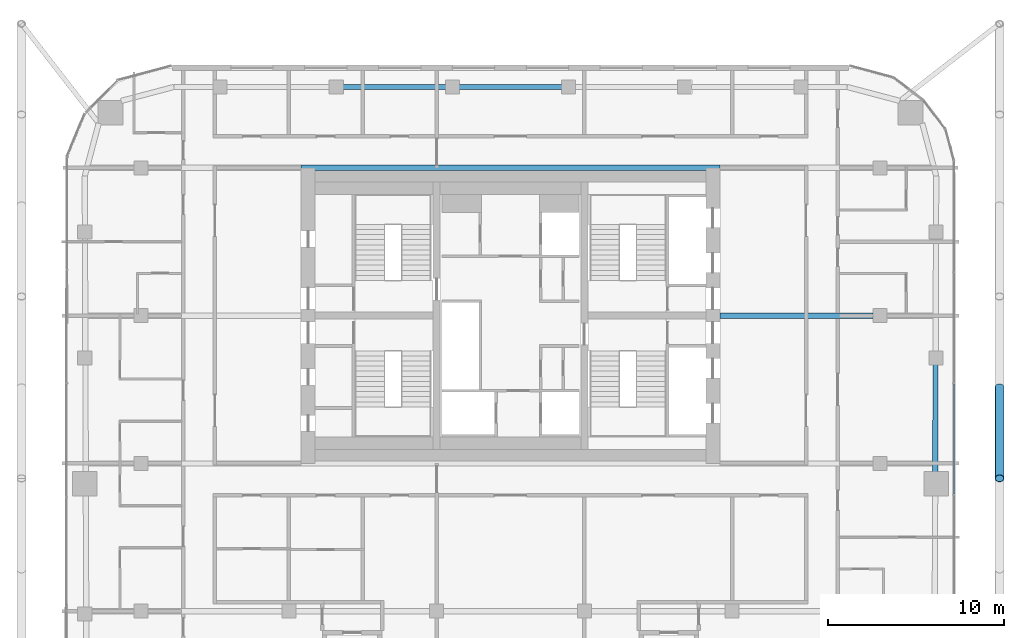
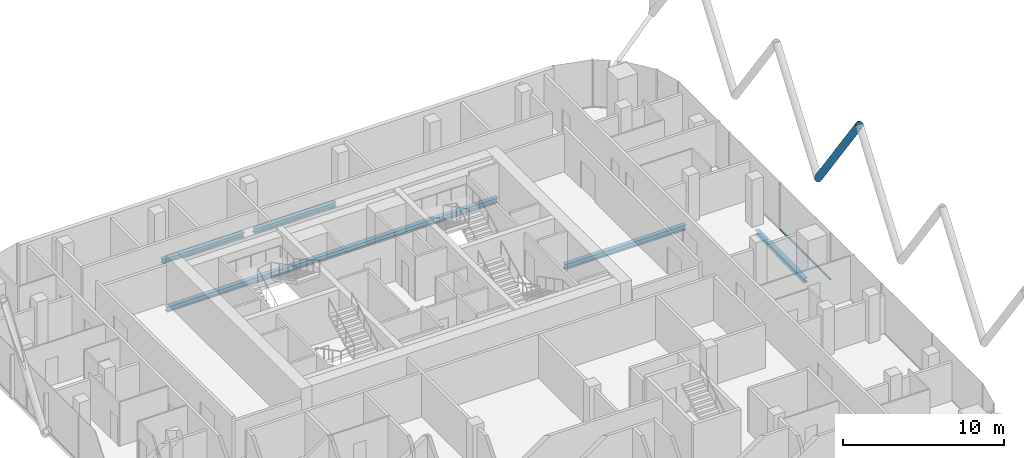
# One storey, part 9 of 28: 5 beams, 2 members, 1 element without a shape of its own.
"""IFC4 building model written with IfcOpenShell, lengths in metres."""

from ifc_helpers import new_model, si_unit, direction, frame, origin, origin_2d, place, context, subcontext, project, spatial, rectangle, hollow_circle, i_section, extrude, material, layer, layer_set, material_profile, profile_set, type_object, element, aggregate, save


model = new_model("IFC4")

# Units and contexts
model_context = context("Model", 3, precision=1e-05, world=origin(), true_north=direction((0.0, 1.0)))
body_context = subcontext(model_context, "Body", "Model", "MODEL_VIEW")
ifc_project = project(units=[si_unit("LENGTHUNIT", "METRE"), si_unit("AREAUNIT", "SQUARE_METRE"), si_unit("VOLUMEUNIT", "CUBIC_METRE"), si_unit("PLANEANGLEUNIT", "RADIAN"), si_unit("MASSUNIT", "GRAM", prefix="KILO")], contexts=[model_context])

# Site, building, storey
site_placement = place(None, origin())
site = spatial("IfcSite", under=ifc_project, at=site_placement, CompositionType="ELEMENT")
building_placement = place(site_placement, origin())
building = spatial("IfcBuilding", under=site, at=building_placement, Name="Marenta Gate Hotel Tower", CompositionType="ELEMENT")
storey_placement = place(building_placement, frame((0.0, 0.0, 198.5)))
storey = spatial("IfcBuildingStorey", under=building, at=storey_placement, Name="L45", CompositionType="ELEMENT", Elevation=198.5)

# Member
ifc_material_1 = material(Name="Steel S355J2W", Category="steel")
ifc_material_profile_1 = material_profile(ifc_material_1, hollow_circle(Radius=0.25390625, WallThickness=0.02490234375, at=origin_2d()), Name="CHS 508x25")
ifc_profile_set_1 = profile_set([ifc_material_profile_1], Name="Steel S355J2W")
member_type_1 = type_object("IfcMemberType", Name="Diagrid diagonal Z3 CHS 508x25", PredefinedType="BRACE", material=ifc_profile_set_1)
member_1_placement = place(storey_placement, frame((27.800048828125, 4.31982421875, 3.139892578125), z_axis=(0.0, -0.583247791947, 0.812294289767), x_axis=(1.0, 0.0, 0.0)))
element("IfcMember", 1, at=member_1_placement, inside=storey, type_object=member_type_1, Name="L45-DG-5", PredefinedType="BRACE", context=body_context, shape_type="SweptSolid", body=[
    extrude(hollow_circle(Radius=0.25390625, WallThickness=0.02490234375, at=origin_2d()), origin(), (0.0, 0.0, 1.0), 8.864013671875),
])

# Beams
ifc_material_2 = material(Name="Steel S355", Category="steel")
ifc_material_profile_2 = material_profile(ifc_material_2, i_section(OverallWidth=0.300048828125, OverallDepth=0.340087890625, WebThickness=0.011962890625, FlangeThickness=0.021484375, FilletRadius=0.027099609375, at=origin_2d()), Name="HEB 340")
ifc_profile_set_2 = profile_set([ifc_material_profile_2], Name="Steel S355")
beam_type_1 = type_object("IfcBeamType", Name="Edge beam HEB 340", PredefinedType="SPANDREL", material=ifc_profile_set_2)
for number, where, z_axis, x_axis, name in (
    (2, (-9.544189453125, 21.39990234375, -0.429931640625), (1.0, 0.0, 0.0), (0.0, 1.0, 0.0), "L45-EB-15"),
    (3, (-2.94140625, 21.39990234375, -0.429931640625), (1.0, 0.0, 0.0), (0.0, 1.0, 0.0), "L45-EB-16"),
):
    element("IfcBeam", number, at=place(storey_placement, frame(where, z_axis=z_axis, x_axis=x_axis)), inside=storey, type_object=beam_type_1, Name=name, PredefinedType="SPANDREL", context=body_context, shape_type="SweptSolid", body=[
        extrude(i_section(OverallWidth=0.300048828125, OverallDepth=0.340087890625, WebThickness=0.011962890625, FlangeThickness=0.021484375, FilletRadius=0.027099609375, at=origin_2d()), origin(), (0.0, 0.0, 1.0), 5.8828125),
    ])
beam_1_placement = place(storey_placement, frame((24.164306640625, 5.643310546875, -0.429931640625), z_axis=(-0.003303859048, -0.999994542243, 0.0), x_axis=(0.999994542243, -0.003303859048, 0.0)))
element("IfcBeam", 4, at=beam_1_placement, inside=storey, type_object=beam_type_1, Name="L45-EB-24", PredefinedType="SPANDREL", context=body_context, shape_type="SweptSolid", body=[
    extrude(i_section(OverallWidth=0.300048828125, OverallDepth=0.340087890625, WebThickness=0.011962890625, FlangeThickness=0.021484375, FilletRadius=0.027099609375, at=origin_2d()), origin(), (0.0, 0.0, 1.0), 6.13330078125),
])
ifc_material_3 = material(Name="Steel S355", Category="steel")
ifc_material_profile_3 = material_profile(ifc_material_3, i_section(OverallWidth=0.300048828125, OverallDepth=0.39990234375, WebThickness=0.013427734375, FlangeThickness=0.02392578125, FilletRadius=0.027099609375, at=origin_2d()), Name="HEB 400")
ifc_profile_set_3 = profile_set([ifc_material_profile_3], Name="Steel S355")
beam_type_2 = type_object("IfcBeamType", Name="Girder HEB 400", PredefinedType="BEAM", material=ifc_profile_set_3)
beam_2_placement = place(storey_placement, frame((11.89990234375, 8.39990234375, -0.4599609375), z_axis=(1.0, 0.0, 0.0), x_axis=(0.0, 1.0, 0.0)))
element("IfcBeam", 5, at=beam_2_placement, inside=storey, type_object=beam_type_2, Name="L45-GD-27", PredefinedType="BEAM", context=body_context, shape_type="SweptSolid", body=[
    extrude(i_section(OverallWidth=0.300048828125, OverallDepth=0.39990234375, WebThickness=0.013427734375, FlangeThickness=0.02392578125, FilletRadius=0.027099609375, at=origin_2d()), origin(), (0.0, 0.0, 1.0), 8.7001953125),
])
beam_3_placement = place(storey_placement, frame((-11.89990234375, 16.800048828125, -0.4599609375), z_axis=(1.0, 0.0, 0.0), x_axis=(0.0, 1.0, 0.0)))
element("IfcBeam", 6, at=beam_3_placement, inside=storey, type_object=beam_type_2, Name="L45-GD-31", PredefinedType="BEAM", context=body_context, shape_type="SweptSolid", body=[
    extrude(i_section(OverallWidth=0.300048828125, OverallDepth=0.39990234375, WebThickness=0.013427734375, FlangeThickness=0.02392578125, FilletRadius=0.027099609375, at=origin_2d()), origin(), (0.0, 0.0, 1.0), 23.7998046875),
])

# Curtain wall, member
ifc_material_4 = material(Name="Tinted insulated glass in bronze anodised frame", Category="glass")
ifc_layer = layer(ifc_material_4, 0.1201171875)
ifc_layer_set = layer_set([ifc_layer], Name="Tinted insulated glass in bronze anodised frame")
curtain_wall_type = type_object("IfcCurtainWallType", Name="Tower unitised curtain wall CW1", PredefinedType="NOTDEFINED", material=ifc_layer_set)
curtain_wall_placement = place(storey_placement, origin())
curtain_wall = element("IfcCurtainWall", 7, at=curtain_wall_placement, inside=storey, type_object=curtain_wall_type, Name="CW1 run G19", PredefinedType="NOTDEFINED")
ifc_material_5 = material(Name="Bronze anodised aluminium", Category="aluminium")
ifc_material_profile_4 = material_profile(ifc_material_5, rectangle(XDim=0.1201171875, YDim=0.06005859375, at=origin_2d()), Name="Transom CW1 60x120 bronze anodised aluminium")
ifc_profile_set_4 = profile_set([ifc_material_profile_4], Name="Bronze anodised aluminium")
member_type_2 = type_object("IfcMemberType", Name="Transom CW1 60x120 bronze anodised aluminium", PredefinedType="USERDEFINED", material=ifc_profile_set_4)
member_2_placement = place(storey_placement, frame((25.214111328125, -1.74609375, 0.030029296875), z_axis=(0.0, 1.0, 0.0), x_axis=(-1.0, 0.0, 0.0)))
member_2 = element("IfcMember", 8, at=member_2_placement, type_object=member_type_2, Name="CW1 transom 4.1", ObjectType="TRANSOM", PredefinedType="USERDEFINED", context=body_context, shape_type="SweptSolid", body=[
    extrude(rectangle(XDim=0.1201171875, YDim=0.06005859375, at=origin_2d()), origin(), (0.0, 0.0, 1.0), 6.2626953125),
])
aggregate(curtain_wall, [member_2])

save(model, "model.ifc")
